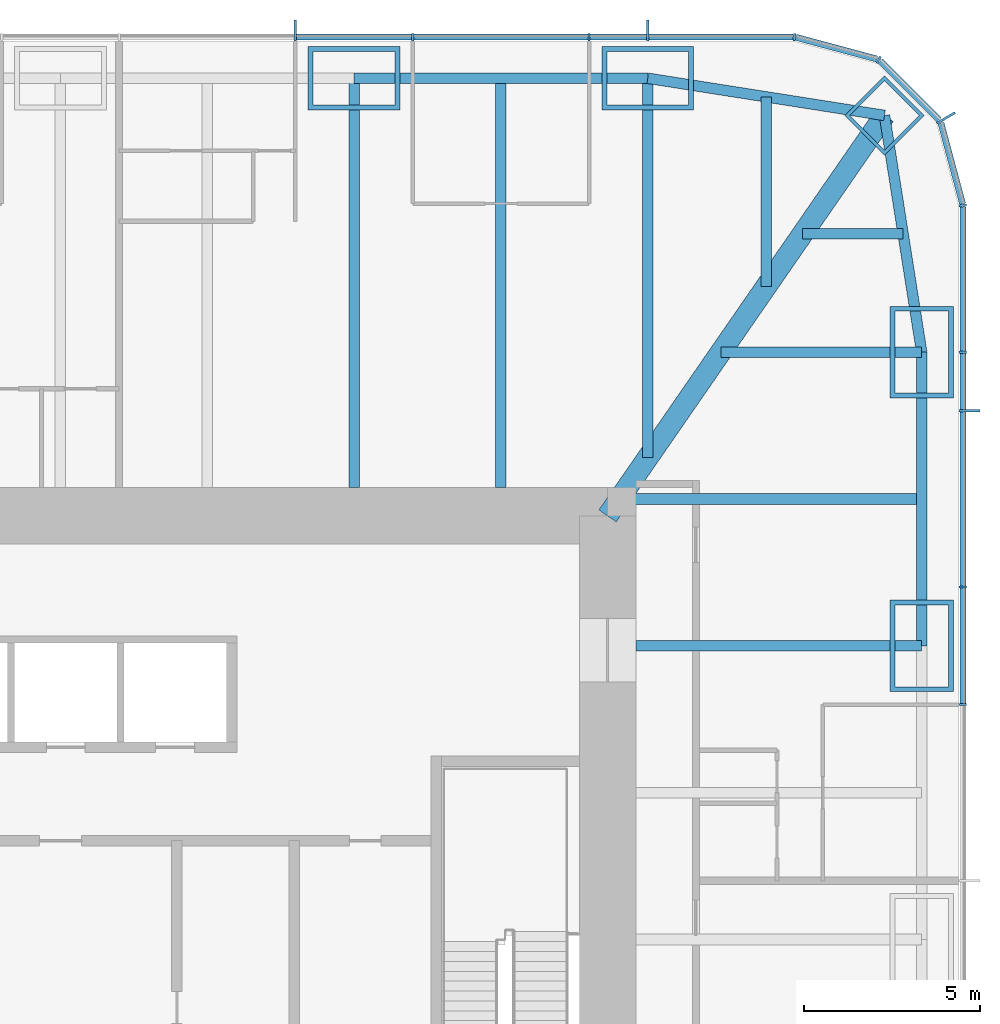
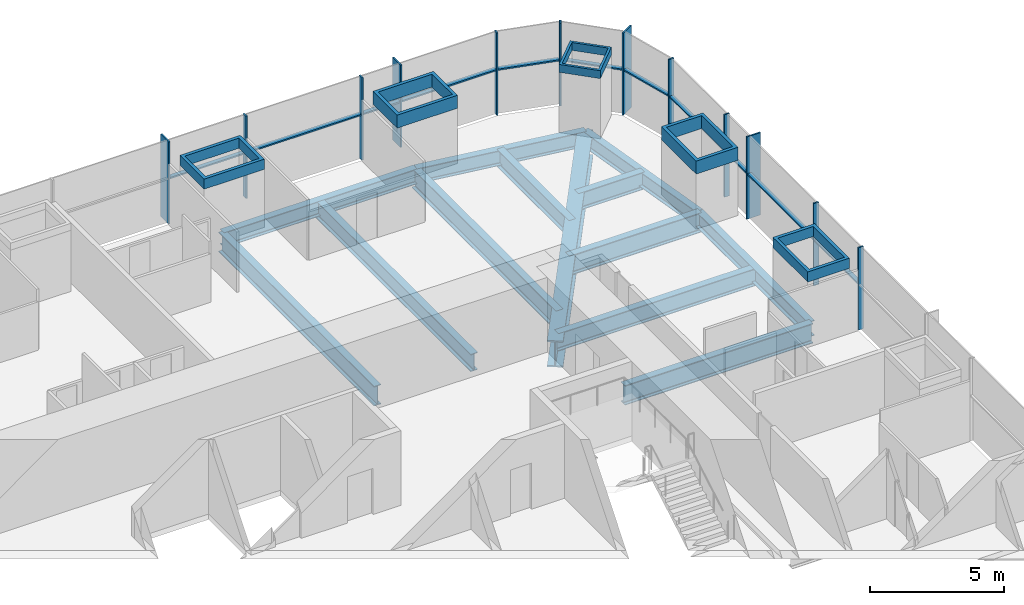
# One storey, part 6 of 13: 28 members, 13 beams, 3 elements without a shape of their own.
"""IFC4 building model written with IfcOpenShell, lengths in metres."""

from ifc_helpers import new_model, si_unit, direction, frame, origin, origin_2d, place, context, subcontext, project, spatial, rectangle, hollow_rectangle, i_section, extrude, material, material_profile, profile_set, type_object, element, aggregate, save


model = new_model("IFC4")

# Units and contexts
model_context = context("Model", 3, precision=1e-05, world=origin(), true_north=direction((0.0, 1.0)))
body_context = subcontext(model_context, "Body", "Model", "MODEL_VIEW")
ifc_project = project(units=[si_unit("LENGTHUNIT", "METRE"), si_unit("AREAUNIT", "SQUARE_METRE"), si_unit("VOLUMEUNIT", "CUBIC_METRE"), si_unit("PLANEANGLEUNIT", "RADIAN"), si_unit("MASSUNIT", "GRAM", prefix="KILO")], contexts=[model_context])

# Site, building, storey
site_placement = place(None, origin())
site = spatial("IfcSite", under=ifc_project, at=site_placement, CompositionType="ELEMENT")
building_placement = place(site_placement, origin())
building = spatial("IfcBuilding", under=site, at=building_placement, Name="Khuree Lantern Residences", CompositionType="ELEMENT")
storey_placement = place(building_placement, frame((0.0, 0.0, 274.5)))
storey = spatial("IfcBuildingStorey", under=building, at=storey_placement, Name="L69", CompositionType="ELEMENT", Elevation=274.5)

# Beams
ifc_material_1 = material(Name="Steel S355", Category="steel")
ifc_material_profile_1 = material_profile(ifc_material_1, i_section(OverallWidth=0.300048828125, OverallDepth=0.7900390625, WebThickness=0.014892578125, FlangeThickness=0.028076171875, FilletRadius=0.030029296875, at=origin_2d()), Name="HE 800 A")
ifc_profile_set_1 = profile_set([ifc_material_profile_1], Name="Steel S355")
beam_type_1 = type_object("IfcBeamType", Name="B-35A SECONDARY BEAM HE 800 A", PredefinedType="BEAM", material=ifc_profile_set_1)
beam_1_placement = place(storey_placement, frame((12.47998046875, 24.39990234375, -0.64501953125), z_axis=(0.0, -1.0, 0.0), x_axis=(1.0, 0.0, 0.0)))
element("IfcBeam", 1, at=beam_1_placement, inside=storey, type_object=beam_type_1, Name="Secondary beam N4", PredefinedType="BEAM", context=body_context, shape_type="SweptSolid", body=[
    extrude(i_section(OverallWidth=0.300048828125, OverallDepth=0.7900390625, WebThickness=0.014892578125, FlangeThickness=0.028076171875, FilletRadius=0.030029296875, at=origin_2d()), origin(), (0.0, 0.0, 1.0), 11.599853515625),
])
beam_2_placement = place(storey_placement, frame((19.992919921875, 23.872802734375, -0.64501953125), z_axis=(0.0, -1.0, 0.0), x_axis=(1.0, 0.0, 0.0)))
element("IfcBeam", 2, at=beam_2_placement, inside=storey, type_object=beam_type_1, Name="Secondary beam N5", PredefinedType="BEAM", context=body_context, shape_type="SweptSolid", body=[
    extrude(i_section(OverallWidth=0.300048828125, OverallDepth=0.7900390625, WebThickness=0.014892578125, FlangeThickness=0.028076171875, FilletRadius=0.030029296875, at=origin_2d()), origin(), (0.0, 0.0, 1.0), 5.375732421875),
])
beam_3_placement = place(storey_placement, frame((23.872802734375, 19.992919921875, -0.64501953125), z_axis=(-1.0, 0.0, 0.0), x_axis=(0.0, -1.0, 0.0)))
element("IfcBeam", 3, at=beam_3_placement, inside=storey, type_object=beam_type_1, Name="Secondary beam E1", PredefinedType="BEAM", context=body_context, shape_type="SweptSolid", body=[
    extrude(i_section(OverallWidth=0.300048828125, OverallDepth=0.7900390625, WebThickness=0.014892578125, FlangeThickness=0.028076171875, FilletRadius=0.030029296875, at=origin_2d()), origin(), (0.0, 0.0, 1.0), 2.845703125),
])
beam_4_placement = place(storey_placement, frame((24.39990234375, 12.47998046875, -0.64501953125), z_axis=(-1.0, 0.0, 0.0), x_axis=(0.0, -1.0, 0.0)))
element("IfcBeam", 4, at=beam_4_placement, inside=storey, type_object=beam_type_1, Name="Secondary beam E2", PredefinedType="BEAM", context=body_context, shape_type="SweptSolid", body=[
    extrude(i_section(OverallWidth=0.300048828125, OverallDepth=0.7900390625, WebThickness=0.014892578125, FlangeThickness=0.028076171875, FilletRadius=0.030029296875, at=origin_2d()), origin(), (0.0, 0.0, 1.0), 8.56787109375),
])
ifc_material_profile_2 = material_profile(ifc_material_1, i_section(OverallWidth=0.300048828125, OverallDepth=0.68994140625, WebThickness=0.014404296875, FlangeThickness=0.027099609375, FilletRadius=0.027099609375, at=origin_2d()), Name="HE 700 A")
ifc_profile_set_2 = profile_set([ifc_material_profile_2], Name="Steel S355")
beam_type_2 = type_object("IfcBeamType", Name="E-35A SPANDREL BEAM HE 700 A", PredefinedType="SPANDREL", material=ifc_profile_set_2)
beam_5_placement = place(storey_placement, frame((8.320068359375, 24.39990234375, -0.594970703125), z_axis=(1.0, 0.0, 0.0), x_axis=(0.0, 1.0, 0.0)))
element("IfcBeam", 5, at=beam_5_placement, inside=storey, type_object=beam_type_2, Name="Spandrel beam N4", PredefinedType="SPANDREL", context=body_context, shape_type="SweptSolid", body=[
    extrude(i_section(OverallWidth=0.300048828125, OverallDepth=0.68994140625, WebThickness=0.014404296875, FlangeThickness=0.027099609375, FilletRadius=0.027099609375, at=origin_2d()), origin(), (0.0, 0.0, 1.0), 8.31982421875),
])
for number, where, z_axis, x_axis, name in (
    (6, (16.639892578125, 24.39990234375, -0.594970703125), (0.98786743189, -0.155299507442, 0.0), (0.155299507442, 0.98786743189, 0.0), "Spandrel beam N5"),
    (7, (23.345703125, 23.345703125, -0.594970703125), (0.155299507442, -0.98786743189, 0.0), (0.98786743189, 0.155299507442, 0.0), "Spandrel beam E1"),
):
    element("IfcBeam", number, at=place(storey_placement, frame(where, z_axis=z_axis, x_axis=x_axis)), inside=storey, type_object=beam_type_2, Name=name, PredefinedType="SPANDREL", context=body_context, shape_type="SweptSolid", body=[
        extrude(i_section(OverallWidth=0.300048828125, OverallDepth=0.68994140625, WebThickness=0.014404296875, FlangeThickness=0.027099609375, FilletRadius=0.027099609375, at=origin_2d()), origin(), (0.0, 0.0, 1.0), 6.7880859375),
    ])
beam_6_placement = place(storey_placement, frame((24.39990234375, 16.639892578125, -0.594970703125), z_axis=(0.0, -1.0, 0.0), x_axis=(1.0, 0.0, 0.0)))
element("IfcBeam", 8, at=beam_6_placement, inside=storey, type_object=beam_type_2, Name="Spandrel beam E2", PredefinedType="SPANDREL", context=body_context, shape_type="SweptSolid", body=[
    extrude(i_section(OverallWidth=0.300048828125, OverallDepth=0.68994140625, WebThickness=0.014404296875, FlangeThickness=0.027099609375, FilletRadius=0.027099609375, at=origin_2d()), origin(), (0.0, 0.0, 1.0), 8.31982421875),
])

# Curtain wall, member
ifc_material_2 = material(Name="Bronze anodised aluminium", Category="aluminium")
curtain_wall_type_1 = type_object("IfcCurtainWallType", Name="CW-T1 TOWER FACE CURTAIN WALL", PredefinedType="USERDEFINED", material=ifc_material_2)
curtain_wall_1_placement = place(storey_placement, origin())
curtain_wall_1 = element("IfcCurtainWall", 9, at=curtain_wall_1_placement, inside=storey, type_object=curtain_wall_type_1, Name="L69 EAST FACE CURTAIN WALL", ObjectType="Stick-built curtain wall", PredefinedType="USERDEFINED")
ifc_material_profile_3 = material_profile(ifc_material_2, rectangle(XDim=0.06494140625, YDim=0.60009765625, at=origin_2d()), Name="F1 65X600")
ifc_profile_set_3 = profile_set([ifc_material_profile_3], Name="Bronze anodised aluminium")
member_type_1 = type_object("IfcMemberType", Name="F1 BRONZE FIN MULLION TOWER 65X600", PredefinedType="MULLION", material=ifc_profile_set_3)
member_1_placement = place(storey_placement, frame((25.75, 14.97607421875, 0.0), z_axis=(0.0, 0.0, 1.0), x_axis=(0.0, 1.0, 0.0)))
member_1 = element("IfcMember", 10, at=member_1_placement, type_object=member_type_1, Name="L69 EAST FACE FIN MULLION 13", PredefinedType="MULLION", context=body_context, shape_type="SweptSolid", body=[
    extrude(rectangle(XDim=0.06494140625, YDim=0.60009765625, at=origin_2d()), origin(), (0.0, 0.0, 1.0), 3.75),
])

curtain_wall_type_2 = type_object("IfcCurtainWallType", Name="CW-T2 TOWER CORNER CURTAIN WALL", PredefinedType="USERDEFINED", material=ifc_material_2)
curtain_wall_2_placement = place(storey_placement, origin())
curtain_wall_2 = element("IfcCurtainWall", 11, at=curtain_wall_2_placement, inside=storey, type_object=curtain_wall_type_2, Name="L69 NORTH-EAST CORNER CURTAIN WALL", ObjectType="Faceted corner curtain wall", PredefinedType="USERDEFINED")
member_2_placement = place(storey_placement, frame((25.0869140625, 23.27490234375, 0.0), z_axis=(0.0, 0.0, 1.0), x_axis=(-0.499999989586, 0.866025409797, 0.0)))
member_2 = element("IfcMember", 12, at=member_2_placement, type_object=member_type_1, Name="L69 NORTH-EAST CORNER FIN MULLION 16", PredefinedType="MULLION", context=body_context, shape_type="SweptSolid", body=[
    extrude(rectangle(XDim=0.06494140625, YDim=0.60009765625, at=origin_2d()), origin(), (0.0, 0.0, 1.0), 3.75),
])

# Curtain wall, members
curtain_wall_3_placement = place(storey_placement, origin())
curtain_wall_3 = element("IfcCurtainWall", 13, at=curtain_wall_3_placement, inside=storey, type_object=curtain_wall_type_1, Name="L69 NORTH FACE CURTAIN WALL", ObjectType="Stick-built curtain wall", PredefinedType="USERDEFINED")
member_3_placement = place(storey_placement, frame((16.639892578125, 25.75, 0.0), z_axis=(0.0, 0.0, 1.0), x_axis=(-1.0, 0.0, 0.0)))
member_3 = element("IfcMember", 14, at=member_3_placement, type_object=member_type_1, Name="L69 NORTH FACE FIN MULLION 19", PredefinedType="MULLION", context=body_context, shape_type="SweptSolid", body=[
    extrude(rectangle(XDim=0.06494140625, YDim=0.60009765625, at=origin_2d()), origin(), (0.0, 0.0, 1.0), 3.75),
])
member_4_placement = place(storey_placement, frame((6.656005859375, 25.75, 0.0), z_axis=(0.0, 0.0, 1.0), x_axis=(-1.0, 0.0, 0.0)))
member_4 = element("IfcMember", 15, at=member_4_placement, type_object=member_type_1, Name="L69 NORTH FACE FIN MULLION 22", PredefinedType="MULLION", context=body_context, shape_type="SweptSolid", body=[
    extrude(rectangle(XDim=0.06494140625, YDim=0.60009765625, at=origin_2d()), origin(), (0.0, 0.0, 1.0), 3.75),
])

# Beams
ifc_material_profile_4 = material_profile(ifc_material_1, i_section(OverallWidth=0.300048828125, OverallDepth=0.89990234375, WebThickness=0.0185546875, FlangeThickness=0.034912109375, FilletRadius=0.030029296875, at=origin_2d()), Name="HE 900 B")
ifc_profile_set_4 = profile_set([ifc_material_profile_4], Name="Steel S355")
beam_type_3 = type_object("IfcBeamType", Name="G-35 GIRDER HE 900 B", PredefinedType="BEAM", material=ifc_profile_set_4)
beam_7_placement = place(storey_placement, frame((8.320068359375, 24.39990234375, -0.699951171875), z_axis=(0.0, -1.0, 0.0), x_axis=(1.0, 0.0, 0.0)))
element("IfcBeam", 16, at=beam_7_placement, inside=storey, type_object=beam_type_3, Name="Girder N4", PredefinedType="BEAM", context=body_context, shape_type="SweptSolid", body=[
    extrude(i_section(OverallWidth=0.300048828125, OverallDepth=0.89990234375, WebThickness=0.0185546875, FlangeThickness=0.034912109375, FilletRadius=0.030029296875, at=origin_2d()), origin(), (0.0, 0.0, 1.0), 11.599853515625),
])
beam_8_placement = place(storey_placement, frame((16.639892578125, 24.39990234375, -0.699951171875), z_axis=(0.0, -1.0, 0.0), x_axis=(1.0, 0.0, 0.0)))
element("IfcBeam", 17, at=beam_8_placement, inside=storey, type_object=beam_type_3, Name="Girder N5", PredefinedType="BEAM", context=body_context, shape_type="SweptSolid", body=[
    extrude(i_section(OverallWidth=0.300048828125, OverallDepth=0.89990234375, WebThickness=0.0185546875, FlangeThickness=0.034912109375, FilletRadius=0.030029296875, at=origin_2d()), origin(), (0.0, 0.0, 1.0), 10.751220703125),
])
beam_9_placement = place(storey_placement, frame((24.39990234375, 16.639892578125, -0.699951171875), z_axis=(-1.0, 0.0, 0.0), x_axis=(0.0, -1.0, 0.0)))
element("IfcBeam", 18, at=beam_9_placement, inside=storey, type_object=beam_type_3, Name="Girder E1", PredefinedType="BEAM", context=body_context, shape_type="SweptSolid", body=[
    extrude(i_section(OverallWidth=0.300048828125, OverallDepth=0.89990234375, WebThickness=0.0185546875, FlangeThickness=0.034912109375, FilletRadius=0.030029296875, at=origin_2d()), origin(), (0.0, 0.0, 1.0), 5.69140625),
])
beam_10_placement = place(storey_placement, frame((24.39990234375, 8.320068359375, -0.699951171875), z_axis=(-1.0, 0.0, 0.0), x_axis=(0.0, -1.0, 0.0)))
element("IfcBeam", 19, at=beam_10_placement, inside=storey, type_object=beam_type_3, Name="Girder E2", PredefinedType="BEAM", context=body_context, shape_type="SweptSolid", body=[
    extrude(i_section(OverallWidth=0.300048828125, OverallDepth=0.89990234375, WebThickness=0.0185546875, FlangeThickness=0.034912109375, FilletRadius=0.030029296875, at=origin_2d()), origin(), (0.0, 0.0, 1.0), 8.099853515625),
])
ifc_material_profile_5 = material_profile(ifc_material_1, i_section(OverallWidth=0.60009765625, OverallDepth=1.199951171875, WebThickness=0.030029296875, FlangeThickness=0.06005859375, at=origin_2d()), Name="WELDED I 1200X600X30X60")
ifc_profile_set_5 = profile_set([ifc_material_profile_5], Name="Steel S355")
beam_type_4 = type_object("IfcBeamType", Name="GD-35A CORNER GIRDER WELDED I 1200X600X30X60", PredefinedType="BEAM", material=ifc_profile_set_5)
beam_11_placement = place(storey_placement, frame((23.345703125, 23.345703125, -0.85009765625), z_axis=(-0.56876813501, -0.822497907959, 0.0), x_axis=(0.822497907959, -0.56876813501, 0.0)))
element("IfcBeam", 20, at=beam_11_placement, inside=storey, type_object=beam_type_4, Name="Corner girder NE", PredefinedType="BEAM", context=body_context, shape_type="SweptSolid", body=[
    extrude(i_section(OverallWidth=0.60009765625, OverallDepth=1.199951171875, WebThickness=0.030029296875, FlangeThickness=0.06005859375, at=origin_2d()), origin(), (0.0, 0.0, 1.0), 13.794189453125),
])

# Member
ifc_material_profile_6 = material_profile(ifc_material_2, rectangle(XDim=0.06494140625, YDim=0.219970703125, at=origin_2d()), Name="M1 65X220")
ifc_profile_set_6 = profile_set([ifc_material_profile_6], Name="Bronze anodised aluminium")
member_type_2 = type_object("IfcMemberType", Name="M1 BRONZE MULLION TOWER 65X220", PredefinedType="MULLION", material=ifc_profile_set_6)
member_5_placement = place(storey_placement, frame((25.56005859375, 6.656005859375, 0.0), z_axis=(0.0, 0.0, 1.0), x_axis=(0.0, 1.0, 0.0)))
member_5 = element("IfcMember", 21, at=member_5_placement, type_object=member_type_2, Name="L69 EAST FACE MULLION 11", PredefinedType="MULLION", context=body_context, shape_type="SweptSolid", body=[
    extrude(rectangle(XDim=0.06494140625, YDim=0.219970703125, at=origin_2d()), origin(), (0.0, 0.0, 1.0), 3.75),
])

member_6_placement = place(storey_placement, frame((25.56005859375, 9.98388671875, 0.0), z_axis=(0.0, 0.0, 1.0), x_axis=(0.0, 1.0, 0.0)))
member_6 = element("IfcMember", 22, at=member_6_placement, type_object=member_type_2, Name="L69 EAST FACE MULLION 12", PredefinedType="MULLION", context=body_context, shape_type="SweptSolid", body=[
    extrude(rectangle(XDim=0.06494140625, YDim=0.219970703125, at=origin_2d()), origin(), (0.0, 0.0, 1.0), 3.75),
])

member_7_placement = place(storey_placement, frame((25.56005859375, 16.639892578125, 0.0), z_axis=(0.0, 0.0, 1.0), x_axis=(0.0, 1.0, 0.0)))
member_7 = element("IfcMember", 23, at=member_7_placement, type_object=member_type_2, Name="L69 EAST FACE MULLION 14", PredefinedType="MULLION", context=body_context, shape_type="SweptSolid", body=[
    extrude(rectangle(XDim=0.06494140625, YDim=0.219970703125, at=origin_2d()), origin(), (0.0, 0.0, 1.0), 3.75),
])

member_8_placement = place(storey_placement, frame((25.561767578125, 20.794921875, 0.0), z_axis=(0.0, 0.0, 1.0), x_axis=(-0.130526180298, 0.991444862943, 0.0)))
member_8 = element("IfcMember", 24, at=member_8_placement, type_object=member_type_2, Name="L69 NORTH-EAST CORNER MULLION 15", PredefinedType="MULLION", context=body_context, shape_type="SweptSolid", body=[
    extrude(rectangle(XDim=0.06494140625, YDim=0.219970703125, at=origin_2d()), origin(), (0.0, 0.0, 1.0), 3.75),
])

member_9_placement = place(storey_placement, frame((23.179931640625, 24.92236328125, 0.0), z_axis=(0.0, 0.0, 1.0), x_axis=(-0.866025409797, 0.499999989586, 0.0)))
member_9 = element("IfcMember", 25, at=member_9_placement, type_object=member_type_2, Name="L69 NORTH-EAST CORNER MULLION 17", PredefinedType="MULLION", context=body_context, shape_type="SweptSolid", body=[
    extrude(rectangle(XDim=0.06494140625, YDim=0.219970703125, at=origin_2d()), origin(), (0.0, 0.0, 1.0), 3.75),
])

member_10_placement = place(storey_placement, frame((20.794921875, 25.561767578125, 0.0), z_axis=(0.0, 0.0, 1.0), x_axis=(-0.991444862943, 0.130526180298, 0.0)))
member_10 = element("IfcMember", 26, at=member_10_placement, type_object=member_type_2, Name="L69 NORTH FACE MULLION 18", PredefinedType="MULLION", context=body_context, shape_type="SweptSolid", body=[
    extrude(rectangle(XDim=0.06494140625, YDim=0.219970703125, at=origin_2d()), origin(), (0.0, 0.0, 1.0), 3.75),
])

member_11_placement = place(storey_placement, frame((14.97607421875, 25.56005859375, 0.0), z_axis=(0.0, 0.0, 1.0), x_axis=(-1.0, 0.0, 0.0)))
member_11 = element("IfcMember", 27, at=member_11_placement, type_object=member_type_2, Name="L69 NORTH FACE MULLION 20", PredefinedType="MULLION", context=body_context, shape_type="SweptSolid", body=[
    extrude(rectangle(XDim=0.06494140625, YDim=0.219970703125, at=origin_2d()), origin(), (0.0, 0.0, 1.0), 3.75),
])

member_12_placement = place(storey_placement, frame((9.98388671875, 25.56005859375, 0.0), z_axis=(0.0, 0.0, 1.0), x_axis=(-1.0, 0.0, 0.0)))
member_12 = element("IfcMember", 28, at=member_12_placement, type_object=member_type_2, Name="L69 NORTH FACE MULLION 21", PredefinedType="MULLION", context=body_context, shape_type="SweptSolid", body=[
    extrude(rectangle(XDim=0.06494140625, YDim=0.219970703125, at=origin_2d()), origin(), (0.0, 0.0, 1.0), 3.75),
])

# Members
ifc_material_3 = material(Name="Steel S355 CFT welded box", Category="steel")
ifc_material_profile_7 = material_profile(ifc_material_3, hollow_rectangle(XDim=1.60009765625, YDim=1.60009765625, WallThickness=0.10009765625, at=origin_2d()), Name="WELDED BOX 1600X1600X100")
ifc_profile_set_7 = profile_set([ifc_material_profile_7], Name="Steel S355 CFT welded box")
member_type_3 = type_object("IfcMemberType", Name="MNA MEGA COLUMN NODE WELDED BOX 1600X1600X100", PredefinedType="MEMBER", material=ifc_profile_set_7)
member_13_placement = place(storey_placement, frame((23.345703125, 23.345703125, 2.739990234375), z_axis=(0.0, 0.0, 1.0), x_axis=(0.707106781187, -0.707106781187, 0.0)))
element("IfcMember", 29, at=member_13_placement, inside=storey, type_object=member_type_3, Name="Mega column node NE", PredefinedType="MEMBER", context=body_context, shape_type="SweptSolid", body=[
    extrude(hollow_rectangle(XDim=1.60009765625, YDim=1.60009765625, WallThickness=0.10009765625, at=origin_2d()), origin(), (0.0, 0.0, 1.0), 0.360107421875),
])
ifc_material_profile_8 = material_profile(ifc_material_3, hollow_rectangle(XDim=2.60009765625, YDim=1.800048828125, WallThickness=0.139892578125, at=origin_2d()), Name="WELDED BOX 2600X1800X140")
ifc_profile_set_8 = profile_set([ifc_material_profile_8], Name="Steel S355 CFT welded box")
member_type_4 = type_object("IfcMemberType", Name="MNB MEGA COLUMN NODE WELDED BOX 2600X1800X140", PredefinedType="MEMBER", material=ifc_profile_set_8)
member_14_placement = place(storey_placement, frame((8.320068359375, 24.39990234375, 2.639892578125), z_axis=(0.0, 0.0, 1.0), x_axis=(1.0, 0.0, 0.0)))
element("IfcMember", 30, at=member_14_placement, inside=storey, type_object=member_type_4, Name="Mega column node N4", PredefinedType="MEMBER", context=body_context, shape_type="SweptSolid", body=[
    extrude(hollow_rectangle(XDim=2.60009765625, YDim=1.800048828125, WallThickness=0.139892578125, at=origin_2d()), origin(), (0.0, 0.0, 1.0), 0.460205078125),
])
for number, where, z_axis, x_axis, name in (
    (31, (16.639892578125, 24.39990234375, 2.510009765625), (0.0, 0.0, 1.0), (1.0, 0.0, 0.0), "Mega column node N5"),
    (32, (24.39990234375, 16.639892578125, 2.510009765625), (0.0, 0.0, 1.0), (0.0, 1.0, 0.0), "Mega column node E1"),
):
    element("IfcMember", number, at=place(storey_placement, frame(where, z_axis=z_axis, x_axis=x_axis)), inside=storey, type_object=member_type_4, Name=name, PredefinedType="MEMBER", context=body_context, shape_type="SweptSolid", body=[
        extrude(hollow_rectangle(XDim=2.60009765625, YDim=1.800048828125, WallThickness=0.139892578125, at=origin_2d()), origin(), (0.0, 0.0, 1.0), 0.590087890625),
    ])
member_15_placement = place(storey_placement, frame((24.39990234375, 8.320068359375, 2.639892578125), z_axis=(0.0, 0.0, 1.0), x_axis=(0.0, 1.0, 0.0)))
element("IfcMember", 33, at=member_15_placement, inside=storey, type_object=member_type_4, Name="Mega column node E2", PredefinedType="MEMBER", context=body_context, shape_type="SweptSolid", body=[
    extrude(hollow_rectangle(XDim=2.60009765625, YDim=1.800048828125, WallThickness=0.139892578125, at=origin_2d()), origin(), (0.0, 0.0, 1.0), 0.460205078125),
])

# Member
ifc_material_profile_9 = material_profile(ifc_material_2, rectangle(XDim=0.179931640625, YDim=0.06494140625, at=origin_2d()), Name="T1 180X65")
ifc_profile_set_9 = profile_set([ifc_material_profile_9], Name="Bronze anodised aluminium")
member_type_5 = type_object("IfcMemberType", Name="TRANSOM T1 TOWER 180X65", PredefinedType="USERDEFINED", material=ifc_profile_set_9)
member_16_placement = place(storey_placement, frame((25.570068359375, 6.6884765625, 2.050048828125), z_axis=(0.0, 1.0, 0.0), x_axis=(-1.0, 0.0, 0.0)))
member_16 = element("IfcMember", 34, at=member_16_placement, type_object=member_type_5, Name="L69 EAST FACE TRANSOM 11.1", ObjectType="Transom", PredefinedType="USERDEFINED", context=body_context, shape_type="SweptSolid", body=[
    extrude(rectangle(XDim=0.179931640625, YDim=0.06494140625, at=origin_2d()), origin(), (0.0, 0.0, 1.0), 3.262939453125),
])

member_17_placement = place(storey_placement, frame((25.570068359375, 10.0166015625, 2.050048828125), z_axis=(0.0, 1.0, 0.0), x_axis=(-1.0, 0.0, 0.0)))
member_17 = element("IfcMember", 35, at=member_17_placement, type_object=member_type_5, Name="L69 EAST FACE TRANSOM 12.1", ObjectType="Transom", PredefinedType="USERDEFINED", context=body_context, shape_type="SweptSolid", body=[
    extrude(rectangle(XDim=0.179931640625, YDim=0.06494140625, at=origin_2d()), origin(), (0.0, 0.0, 1.0), 4.927001953125),
])

member_18_placement = place(storey_placement, frame((25.570068359375, 15.008544921875, 2.050048828125), z_axis=(0.0, 1.0, 0.0), x_axis=(-1.0, 0.0, 0.0)))
member_18 = element("IfcMember", 36, at=member_18_placement, type_object=member_type_5, Name="L69 EAST FACE TRANSOM 13.1", ObjectType="Transom", PredefinedType="USERDEFINED", context=body_context, shape_type="SweptSolid", body=[
    extrude(rectangle(XDim=0.179931640625, YDim=0.06494140625, at=origin_2d()), origin(), (0.0, 0.0, 1.0), 1.598876953125),
])

member_19_placement = place(storey_placement, frame((25.570068359375, 16.672607421875, 2.050048828125), z_axis=(0.0, 1.0, 0.0), x_axis=(-1.0, 0.0, 0.0)))
member_19 = element("IfcMember", 37, at=member_19_placement, type_object=member_type_5, Name="L69 EAST FACE TRANSOM 14.1", ObjectType="Transom", PredefinedType="USERDEFINED", context=body_context, shape_type="SweptSolid", body=[
    extrude(rectangle(XDim=0.179931640625, YDim=0.06494140625, at=origin_2d()), origin(), (0.0, 0.0, 1.0), 4.078857421875),
])

aggregate(curtain_wall_1, [member_5, member_6, member_1, member_7, member_16, member_17, member_18, member_19])

member_20_placement = place(storey_placement, frame((25.558349609375, 20.839111328125, 2.050048828125), z_axis=(-0.258739517581, 0.965947132115, 0.0), x_axis=(-0.965947132115, -0.258739517581, 0.0)))
member_20 = element("IfcMember", 38, at=member_20_placement, type_object=member_type_5, Name="L69 NORTH-EAST CORNER TRANSOM 15.1", ObjectType="Transom", PredefinedType="USERDEFINED", context=body_context, shape_type="SweptSolid", body=[
    extrude(rectangle(XDim=0.179931640625, YDim=0.06494140625, at=origin_2d()), origin(), (0.0, 0.0, 1.0), 2.370361328125),
])

member_21_placement = place(storey_placement, frame((24.88916015625, 23.225341796875, 2.050048828125), z_axis=(-0.707106781187, 0.707106781187, 0.0), x_axis=(-0.707106781187, -0.707106781187, 0.0)))
member_21 = element("IfcMember", 39, at=member_21_placement, type_object=member_type_5, Name="L69 NORTH-EAST CORNER TRANSOM 16.1", ObjectType="Transom", PredefinedType="USERDEFINED", context=body_context, shape_type="SweptSolid", body=[
    extrude(rectangle(XDim=0.179931640625, YDim=0.06494140625, at=origin_2d()), origin(), (0.0, 0.0, 1.0), 2.35302734375),
])

member_22_placement = place(storey_placement, frame((23.128662109375, 24.945068359375, 2.050048828125), z_axis=(-0.965947132115, 0.258739517581, 0.0), x_axis=(-0.258739517581, -0.965947132115, 0.0)))
member_22 = element("IfcMember", 40, at=member_22_placement, type_object=member_type_5, Name="L69 NORTH-EAST CORNER TRANSOM 17.1", ObjectType="Transom", PredefinedType="USERDEFINED", context=body_context, shape_type="SweptSolid", body=[
    extrude(rectangle(XDim=0.179931640625, YDim=0.06494140625, at=origin_2d()), origin(), (0.0, 0.0, 1.0), 2.370361328125),
])

aggregate(curtain_wall_2, [member_8, member_2, member_9, member_20, member_21, member_22])

member_23_placement = place(storey_placement, frame((20.75146484375, 25.570068359375, 2.050048828125), z_axis=(-1.0, 0.0, 0.0), x_axis=(0.0, -1.0, 0.0)))
member_23 = element("IfcMember", 41, at=member_23_placement, type_object=member_type_5, Name="L69 NORTH FACE TRANSOM 18.1", ObjectType="Transom", PredefinedType="USERDEFINED", context=body_context, shape_type="SweptSolid", body=[
    extrude(rectangle(XDim=0.179931640625, YDim=0.06494140625, at=origin_2d()), origin(), (0.0, 0.0, 1.0), 4.078857421875),
])

member_24_placement = place(storey_placement, frame((16.607421875, 25.570068359375, 2.050048828125), z_axis=(-1.0, 0.0, 0.0), x_axis=(0.0, -1.0, 0.0)))
member_24 = element("IfcMember", 42, at=member_24_placement, type_object=member_type_5, Name="L69 NORTH FACE TRANSOM 19.1", ObjectType="Transom", PredefinedType="USERDEFINED", context=body_context, shape_type="SweptSolid", body=[
    extrude(rectangle(XDim=0.179931640625, YDim=0.06494140625, at=origin_2d()), origin(), (0.0, 0.0, 1.0), 1.598876953125),
])

member_25_placement = place(storey_placement, frame((14.943603515625, 25.570068359375, 2.050048828125), z_axis=(-1.0, 0.0, 0.0), x_axis=(0.0, -1.0, 0.0)))
member_25 = element("IfcMember", 43, at=member_25_placement, type_object=member_type_5, Name="L69 NORTH FACE TRANSOM 20.1", ObjectType="Transom", PredefinedType="USERDEFINED", context=body_context, shape_type="SweptSolid", body=[
    extrude(rectangle(XDim=0.179931640625, YDim=0.06494140625, at=origin_2d()), origin(), (0.0, 0.0, 1.0), 4.927001953125),
])

member_26_placement = place(storey_placement, frame((9.951416015625, 25.570068359375, 2.050048828125), z_axis=(-1.0, 0.0, 0.0), x_axis=(0.0, -1.0, 0.0)))
member_26 = element("IfcMember", 44, at=member_26_placement, type_object=member_type_5, Name="L69 NORTH FACE TRANSOM 21.1", ObjectType="Transom", PredefinedType="USERDEFINED", context=body_context, shape_type="SweptSolid", body=[
    extrude(rectangle(XDim=0.179931640625, YDim=0.06494140625, at=origin_2d()), origin(), (0.0, 0.0, 1.0), 3.262939453125),
])

aggregate(curtain_wall_3, [member_10, member_3, member_11, member_12, member_4, member_23, member_24, member_25, member_26])

save(model, "model.ifc")
